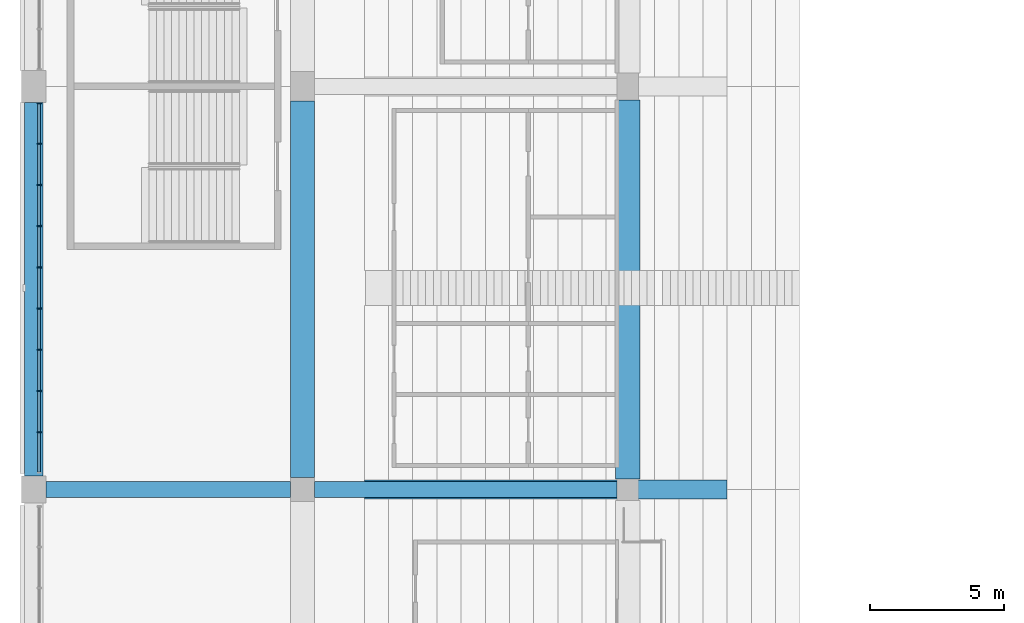
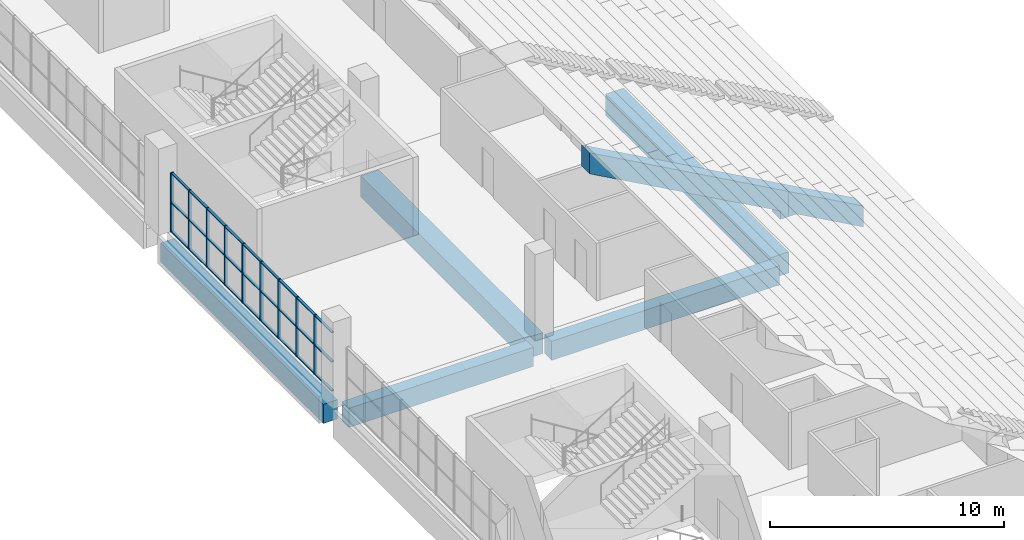
# One storey, part 20 of 249: 36 members, 7 beams, 1 element without a shape of its own.
"""IFC4 building model written with IfcOpenShell, lengths in metres."""

from ifc_helpers import new_model, si_unit, direction, frame, origin, origin_2d, place, context, subcontext, project, spatial, polyline, rectangle, outline, extrude, material, material_profile, profile_set, type_object, element, aggregate, save


model = new_model("IFC4")

# Units and contexts
model_context = context("Model", 3, precision=1e-05, world=origin(), true_north=direction((0.0, 1.0)))
body_context = subcontext(model_context, "Body", "Model", "MODEL_VIEW")
ifc_project = project(units=[si_unit("LENGTHUNIT", "METRE"), si_unit("AREAUNIT", "SQUARE_METRE"), si_unit("VOLUMEUNIT", "CUBIC_METRE"), si_unit("PLANEANGLEUNIT", "RADIAN"), si_unit("MASSUNIT", "GRAM", prefix="KILO")], contexts=[model_context])

# Site, building, storey
site_placement = place(None, origin())
site = spatial("IfcSite", under=ifc_project, at=site_placement, CompositionType="ELEMENT")
building_placement = place(site_placement, origin())
building = spatial("IfcBuilding", under=site, at=building_placement, Name="Ogive Plaza Stadium", CompositionType="ELEMENT")
storey_placement = place(building_placement, frame((0.0, 0.0, 13.5)))
storey = spatial("IfcBuildingStorey", under=building, at=storey_placement, Name="L03", CompositionType="ELEMENT", Elevation=13.5)

# Curtain wall, members
ifc_material_1 = material(Name="Bronze-anodised aluminium with laminated glass", Category="aluminium")
curtain_wall_type = type_object("IfcCurtainWallType", Name="Lancet curtain wall", PredefinedType="NOTDEFINED", material=ifc_material_1)
curtain_wall_placement = place(storey_placement, origin())
curtain_wall = element("IfcCurtainWall", 1, at=curtain_wall_placement, inside=storey, type_object=curtain_wall_type, Name="CURTAIN WALL B23 L03", PredefinedType="NOTDEFINED")
ifc_material_2 = material(Name="Bronze-anodised aluminium", Category="aluminium")
ifc_material_profile_1 = material_profile(ifc_material_2, rectangle(XDim=0.14990234375, YDim=0.050048828125, at=origin_2d()), Name="AL 150x50")
ifc_profile_set_1 = profile_set([ifc_material_profile_1], Name="Bronze-anodised aluminium")
member_type_1 = type_object("IfcMemberType", Name="Curtain wall mullion 50x150", PredefinedType="MULLION", material=ifc_profile_set_1)
member_1_placement = place(storey_placement, frame((-83.800048828125, -20.36669921875, 0.0), z_axis=(0.0, 0.0, 1.0), x_axis=(-1.0, 0.0, 0.0)))
member_1 = element("IfcMember", 2, at=member_1_placement, type_object=member_type_1, Name="CW-B23-L03 mullion 2", PredefinedType="MULLION", context=body_context, shape_type="SweptSolid", body=[
    extrude(rectangle(XDim=0.14990234375, YDim=0.050048828125, at=origin_2d()), origin(), (0.0, 0.0, 1.0), 3.090087890625),
])
member_2_placement = place(storey_placement, frame((-83.800048828125, -18.833251953125, 0.0), z_axis=(0.0, 0.0, 1.0), x_axis=(-1.0, 0.0, 0.0)))
member_2 = element("IfcMember", 3, at=member_2_placement, type_object=member_type_1, Name="CW-B23-L03 mullion 3", PredefinedType="MULLION", context=body_context, shape_type="SweptSolid", body=[
    extrude(rectangle(XDim=0.14990234375, YDim=0.050048828125, at=origin_2d()), origin(), (0.0, 0.0, 1.0), 3.090087890625),
])
member_3_placement = place(storey_placement, frame((-83.800048828125, -17.300048828125, 0.0), z_axis=(0.0, 0.0, 1.0), x_axis=(-1.0, 0.0, 0.0)))
member_3 = element("IfcMember", 4, at=member_3_placement, type_object=member_type_1, Name="CW-B23-L03 mullion 4", PredefinedType="MULLION", context=body_context, shape_type="SweptSolid", body=[
    extrude(rectangle(XDim=0.14990234375, YDim=0.050048828125, at=origin_2d()), origin(), (0.0, 0.0, 1.0), 3.090087890625),
])
member_4_placement = place(storey_placement, frame((-83.800048828125, -15.7666015625, 0.0), z_axis=(0.0, 0.0, 1.0), x_axis=(-1.0, 0.0, 0.0)))
member_4 = element("IfcMember", 5, at=member_4_placement, type_object=member_type_1, Name="CW-B23-L03 mullion 5", PredefinedType="MULLION", context=body_context, shape_type="SweptSolid", body=[
    extrude(rectangle(XDim=0.14990234375, YDim=0.050048828125, at=origin_2d()), origin(), (0.0, 0.0, 1.0), 3.090087890625),
])
member_5_placement = place(storey_placement, frame((-83.800048828125, -14.2333984375, 0.0), z_axis=(0.0, 0.0, 1.0), x_axis=(-1.0, 0.0, 0.0)))
member_5 = element("IfcMember", 6, at=member_5_placement, type_object=member_type_1, Name="CW-B23-L03 mullion 6", PredefinedType="MULLION", context=body_context, shape_type="SweptSolid", body=[
    extrude(rectangle(XDim=0.14990234375, YDim=0.050048828125, at=origin_2d()), origin(), (0.0, 0.0, 1.0), 3.090087890625),
])
member_6_placement = place(storey_placement, frame((-83.800048828125, -12.699951171875, 0.0), z_axis=(0.0, 0.0, 1.0), x_axis=(-1.0, 0.0, 0.0)))
member_6 = element("IfcMember", 7, at=member_6_placement, type_object=member_type_1, Name="CW-B23-L03 mullion 7", PredefinedType="MULLION", context=body_context, shape_type="SweptSolid", body=[
    extrude(rectangle(XDim=0.14990234375, YDim=0.050048828125, at=origin_2d()), origin(), (0.0, 0.0, 1.0), 3.090087890625),
])
member_7_placement = place(storey_placement, frame((-83.800048828125, -11.166748046875, 0.0), z_axis=(0.0, 0.0, 1.0), x_axis=(-1.0, 0.0, 0.0)))
member_7 = element("IfcMember", 8, at=member_7_placement, type_object=member_type_1, Name="CW-B23-L03 mullion 8", PredefinedType="MULLION", context=body_context, shape_type="SweptSolid", body=[
    extrude(rectangle(XDim=0.14990234375, YDim=0.050048828125, at=origin_2d()), origin(), (0.0, 0.0, 1.0), 3.090087890625),
])
member_8_placement = place(storey_placement, frame((-83.800048828125, -9.63330078125, 0.0), z_axis=(0.0, 0.0, 1.0), x_axis=(-1.0, 0.0, 0.0)))
member_8 = element("IfcMember", 9, at=member_8_placement, type_object=member_type_1, Name="CW-B23-L03 mullion 9", PredefinedType="MULLION", context=body_context, shape_type="SweptSolid", body=[
    extrude(rectangle(XDim=0.14990234375, YDim=0.050048828125, at=origin_2d()), origin(), (0.0, 0.0, 1.0), 3.090087890625),
])
member_9_placement = place(storey_placement, frame((-83.800048828125, -8.125, 0.0), z_axis=(0.0, 0.0, 1.0), x_axis=(-1.0, 0.0, 0.0)))
member_9 = element("IfcMember", 10, at=member_9_placement, type_object=member_type_1, Name="CW-B23-L03 mullion 10", PredefinedType="MULLION", context=body_context, shape_type="SweptSolid", body=[
    extrude(rectangle(XDim=0.14990234375, YDim=0.050048828125, at=origin_2d()), origin(), (0.0, 0.0, 1.0), 3.090087890625),
])
ifc_material_3 = material(Name="Bronze-anodised aluminium", Category="aluminium")
ifc_material_profile_2 = material_profile(ifc_material_3, rectangle(XDim=0.1201171875, YDim=0.050048828125, at=origin_2d()), Name="AL 120x50")
ifc_profile_set_2 = profile_set([ifc_material_profile_2], Name="Bronze-anodised aluminium")
member_type_2 = type_object("IfcMemberType", Name="Curtain wall transom 50x120", PredefinedType="USERDEFINED", material=ifc_profile_set_2)
member_10_placement = place(storey_placement, frame((-83.800048828125, -21.85009765625, 0.02490234375), z_axis=(0.0, 1.0, 0.0), x_axis=(-1.0, 0.0, 0.0)))
member_10 = element("IfcMember", 11, at=member_10_placement, type_object=member_type_2, Name="CW-B23-L03 transom 1.1", ObjectType="TRANSOM", PredefinedType="USERDEFINED", context=body_context, shape_type="SweptSolid", body=[
    extrude(rectangle(XDim=0.1201171875, YDim=0.050048828125, at=origin_2d()), origin(), (0.0, 0.0, 1.0), 1.45849609375),
])
member_11_placement = place(storey_placement, frame((-83.800048828125, -21.85009765625, 1.544921875), z_axis=(0.0, 1.0, 0.0), x_axis=(-1.0, 0.0, 0.0)))
member_11 = element("IfcMember", 12, at=member_11_placement, type_object=member_type_2, Name="CW-B23-L03 transom 1.2", ObjectType="TRANSOM", PredefinedType="USERDEFINED", context=body_context, shape_type="SweptSolid", body=[
    extrude(rectangle(XDim=0.1201171875, YDim=0.050048828125, at=origin_2d()), origin(), (0.0, 0.0, 1.0), 1.45849609375),
])
member_12_placement = place(storey_placement, frame((-83.800048828125, -21.85009765625, 3.06494140625), z_axis=(0.0, 1.0, 0.0), x_axis=(-1.0, 0.0, 0.0)))
member_12 = element("IfcMember", 13, at=member_12_placement, type_object=member_type_2, Name="CW-B23-L03 transom 1.3", ObjectType="TRANSOM", PredefinedType="USERDEFINED", context=body_context, shape_type="SweptSolid", body=[
    extrude(rectangle(XDim=0.1201171875, YDim=0.050048828125, at=origin_2d()), origin(), (0.0, 0.0, 1.0), 1.45849609375),
])
member_13_placement = place(storey_placement, frame((-83.800048828125, -20.341552734375, 0.02490234375), z_axis=(0.0, 1.0, 0.0), x_axis=(-1.0, 0.0, 0.0)))
member_13 = element("IfcMember", 14, at=member_13_placement, type_object=member_type_2, Name="CW-B23-L03 transom 2.1", ObjectType="TRANSOM", PredefinedType="USERDEFINED", context=body_context, shape_type="SweptSolid", body=[
    extrude(rectangle(XDim=0.1201171875, YDim=0.050048828125, at=origin_2d()), origin(), (0.0, 0.0, 1.0), 1.483154296875),
])
member_14_placement = place(storey_placement, frame((-83.800048828125, -20.341552734375, 1.544921875), z_axis=(0.0, 1.0, 0.0), x_axis=(-1.0, 0.0, 0.0)))
member_14 = element("IfcMember", 15, at=member_14_placement, type_object=member_type_2, Name="CW-B23-L03 transom 2.2", ObjectType="TRANSOM", PredefinedType="USERDEFINED", context=body_context, shape_type="SweptSolid", body=[
    extrude(rectangle(XDim=0.1201171875, YDim=0.050048828125, at=origin_2d()), origin(), (0.0, 0.0, 1.0), 1.483154296875),
])
member_15_placement = place(storey_placement, frame((-83.800048828125, -20.341552734375, 3.06494140625), z_axis=(0.0, 1.0, 0.0), x_axis=(-1.0, 0.0, 0.0)))
member_15 = element("IfcMember", 16, at=member_15_placement, type_object=member_type_2, Name="CW-B23-L03 transom 2.3", ObjectType="TRANSOM", PredefinedType="USERDEFINED", context=body_context, shape_type="SweptSolid", body=[
    extrude(rectangle(XDim=0.1201171875, YDim=0.050048828125, at=origin_2d()), origin(), (0.0, 0.0, 1.0), 1.483154296875),
])
member_16_placement = place(storey_placement, frame((-83.800048828125, -18.808349609375, 0.02490234375), z_axis=(0.0, 1.0, 0.0), x_axis=(-1.0, 0.0, 0.0)))
member_16 = element("IfcMember", 17, at=member_16_placement, type_object=member_type_2, Name="CW-B23-L03 transom 3.1", ObjectType="TRANSOM", PredefinedType="USERDEFINED", context=body_context, shape_type="SweptSolid", body=[
    extrude(rectangle(XDim=0.1201171875, YDim=0.050048828125, at=origin_2d()), origin(), (0.0, 0.0, 1.0), 1.4833984375),
])
member_17_placement = place(storey_placement, frame((-83.800048828125, -18.808349609375, 1.544921875), z_axis=(0.0, 1.0, 0.0), x_axis=(-1.0, 0.0, 0.0)))
member_17 = element("IfcMember", 18, at=member_17_placement, type_object=member_type_2, Name="CW-B23-L03 transom 3.2", ObjectType="TRANSOM", PredefinedType="USERDEFINED", context=body_context, shape_type="SweptSolid", body=[
    extrude(rectangle(XDim=0.1201171875, YDim=0.050048828125, at=origin_2d()), origin(), (0.0, 0.0, 1.0), 1.4833984375),
])
member_18_placement = place(storey_placement, frame((-83.800048828125, -18.808349609375, 3.06494140625), z_axis=(0.0, 1.0, 0.0), x_axis=(-1.0, 0.0, 0.0)))
member_18 = element("IfcMember", 19, at=member_18_placement, type_object=member_type_2, Name="CW-B23-L03 transom 3.3", ObjectType="TRANSOM", PredefinedType="USERDEFINED", context=body_context, shape_type="SweptSolid", body=[
    extrude(rectangle(XDim=0.1201171875, YDim=0.050048828125, at=origin_2d()), origin(), (0.0, 0.0, 1.0), 1.4833984375),
])
member_19_placement = place(storey_placement, frame((-83.800048828125, -17.27490234375, 0.02490234375), z_axis=(0.0, 1.0, 0.0), x_axis=(-1.0, 0.0, 0.0)))
member_19 = element("IfcMember", 20, at=member_19_placement, type_object=member_type_2, Name="CW-B23-L03 transom 4.1", ObjectType="TRANSOM", PredefinedType="USERDEFINED", context=body_context, shape_type="SweptSolid", body=[
    extrude(rectangle(XDim=0.1201171875, YDim=0.050048828125, at=origin_2d()), origin(), (0.0, 0.0, 1.0), 1.483154296875),
])
member_20_placement = place(storey_placement, frame((-83.800048828125, -17.27490234375, 1.544921875), z_axis=(0.0, 1.0, 0.0), x_axis=(-1.0, 0.0, 0.0)))
member_20 = element("IfcMember", 21, at=member_20_placement, type_object=member_type_2, Name="CW-B23-L03 transom 4.2", ObjectType="TRANSOM", PredefinedType="USERDEFINED", context=body_context, shape_type="SweptSolid", body=[
    extrude(rectangle(XDim=0.1201171875, YDim=0.050048828125, at=origin_2d()), origin(), (0.0, 0.0, 1.0), 1.483154296875),
])
member_21_placement = place(storey_placement, frame((-83.800048828125, -17.27490234375, 3.06494140625), z_axis=(0.0, 1.0, 0.0), x_axis=(-1.0, 0.0, 0.0)))
member_21 = element("IfcMember", 22, at=member_21_placement, type_object=member_type_2, Name="CW-B23-L03 transom 4.3", ObjectType="TRANSOM", PredefinedType="USERDEFINED", context=body_context, shape_type="SweptSolid", body=[
    extrude(rectangle(XDim=0.1201171875, YDim=0.050048828125, at=origin_2d()), origin(), (0.0, 0.0, 1.0), 1.483154296875),
])
member_22_placement = place(storey_placement, frame((-83.800048828125, -15.74169921875, 0.02490234375), z_axis=(0.0, 1.0, 0.0), x_axis=(-1.0, 0.0, 0.0)))
member_22 = element("IfcMember", 23, at=member_22_placement, type_object=member_type_2, Name="CW-B23-L03 transom 5.1", ObjectType="TRANSOM", PredefinedType="USERDEFINED", context=body_context, shape_type="SweptSolid", body=[
    extrude(rectangle(XDim=0.1201171875, YDim=0.050048828125, at=origin_2d()), origin(), (0.0, 0.0, 1.0), 1.4833984375),
])
member_23_placement = place(storey_placement, frame((-83.800048828125, -15.74169921875, 1.544921875), z_axis=(0.0, 1.0, 0.0), x_axis=(-1.0, 0.0, 0.0)))
member_23 = element("IfcMember", 24, at=member_23_placement, type_object=member_type_2, Name="CW-B23-L03 transom 5.2", ObjectType="TRANSOM", PredefinedType="USERDEFINED", context=body_context, shape_type="SweptSolid", body=[
    extrude(rectangle(XDim=0.1201171875, YDim=0.050048828125, at=origin_2d()), origin(), (0.0, 0.0, 1.0), 1.4833984375),
])
member_24_placement = place(storey_placement, frame((-83.800048828125, -15.74169921875, 3.06494140625), z_axis=(0.0, 1.0, 0.0), x_axis=(-1.0, 0.0, 0.0)))
member_24 = element("IfcMember", 25, at=member_24_placement, type_object=member_type_2, Name="CW-B23-L03 transom 5.3", ObjectType="TRANSOM", PredefinedType="USERDEFINED", context=body_context, shape_type="SweptSolid", body=[
    extrude(rectangle(XDim=0.1201171875, YDim=0.050048828125, at=origin_2d()), origin(), (0.0, 0.0, 1.0), 1.4833984375),
])
member_25_placement = place(storey_placement, frame((-83.800048828125, -14.208251953125, 0.02490234375), z_axis=(0.0, 1.0, 0.0), x_axis=(-1.0, 0.0, 0.0)))
member_25 = element("IfcMember", 26, at=member_25_placement, type_object=member_type_2, Name="CW-B23-L03 transom 6.1", ObjectType="TRANSOM", PredefinedType="USERDEFINED", context=body_context, shape_type="SweptSolid", body=[
    extrude(rectangle(XDim=0.1201171875, YDim=0.050048828125, at=origin_2d()), origin(), (0.0, 0.0, 1.0), 1.483154296875),
])
member_26_placement = place(storey_placement, frame((-83.800048828125, -14.208251953125, 1.544921875), z_axis=(0.0, 1.0, 0.0), x_axis=(-1.0, 0.0, 0.0)))
member_26 = element("IfcMember", 27, at=member_26_placement, type_object=member_type_2, Name="CW-B23-L03 transom 6.2", ObjectType="TRANSOM", PredefinedType="USERDEFINED", context=body_context, shape_type="SweptSolid", body=[
    extrude(rectangle(XDim=0.1201171875, YDim=0.050048828125, at=origin_2d()), origin(), (0.0, 0.0, 1.0), 1.483154296875),
])
member_27_placement = place(storey_placement, frame((-83.800048828125, -14.208251953125, 3.06494140625), z_axis=(0.0, 1.0, 0.0), x_axis=(-1.0, 0.0, 0.0)))
member_27 = element("IfcMember", 28, at=member_27_placement, type_object=member_type_2, Name="CW-B23-L03 transom 6.3", ObjectType="TRANSOM", PredefinedType="USERDEFINED", context=body_context, shape_type="SweptSolid", body=[
    extrude(rectangle(XDim=0.1201171875, YDim=0.050048828125, at=origin_2d()), origin(), (0.0, 0.0, 1.0), 1.483154296875),
])
member_28_placement = place(storey_placement, frame((-83.800048828125, -12.675048828125, 0.02490234375), z_axis=(0.0, 1.0, 0.0), x_axis=(-1.0, 0.0, 0.0)))
member_28 = element("IfcMember", 29, at=member_28_placement, type_object=member_type_2, Name="CW-B23-L03 transom 7.1", ObjectType="TRANSOM", PredefinedType="USERDEFINED", context=body_context, shape_type="SweptSolid", body=[
    extrude(rectangle(XDim=0.1201171875, YDim=0.050048828125, at=origin_2d()), origin(), (0.0, 0.0, 1.0), 1.4833984375),
])
member_29_placement = place(storey_placement, frame((-83.800048828125, -12.675048828125, 1.544921875), z_axis=(0.0, 1.0, 0.0), x_axis=(-1.0, 0.0, 0.0)))
member_29 = element("IfcMember", 30, at=member_29_placement, type_object=member_type_2, Name="CW-B23-L03 transom 7.2", ObjectType="TRANSOM", PredefinedType="USERDEFINED", context=body_context, shape_type="SweptSolid", body=[
    extrude(rectangle(XDim=0.1201171875, YDim=0.050048828125, at=origin_2d()), origin(), (0.0, 0.0, 1.0), 1.4833984375),
])
member_30_placement = place(storey_placement, frame((-83.800048828125, -12.675048828125, 3.06494140625), z_axis=(0.0, 1.0, 0.0), x_axis=(-1.0, 0.0, 0.0)))
member_30 = element("IfcMember", 31, at=member_30_placement, type_object=member_type_2, Name="CW-B23-L03 transom 7.3", ObjectType="TRANSOM", PredefinedType="USERDEFINED", context=body_context, shape_type="SweptSolid", body=[
    extrude(rectangle(XDim=0.1201171875, YDim=0.050048828125, at=origin_2d()), origin(), (0.0, 0.0, 1.0), 1.4833984375),
])
member_31_placement = place(storey_placement, frame((-83.800048828125, -11.1416015625, 0.02490234375), z_axis=(0.0, 1.0, 0.0), x_axis=(-1.0, 0.0, 0.0)))
member_31 = element("IfcMember", 32, at=member_31_placement, type_object=member_type_2, Name="CW-B23-L03 transom 8.1", ObjectType="TRANSOM", PredefinedType="USERDEFINED", context=body_context, shape_type="SweptSolid", body=[
    extrude(rectangle(XDim=0.1201171875, YDim=0.050048828125, at=origin_2d()), origin(), (0.0, 0.0, 1.0), 1.483154296875),
])
member_32_placement = place(storey_placement, frame((-83.800048828125, -11.1416015625, 1.544921875), z_axis=(0.0, 1.0, 0.0), x_axis=(-1.0, 0.0, 0.0)))
member_32 = element("IfcMember", 33, at=member_32_placement, type_object=member_type_2, Name="CW-B23-L03 transom 8.2", ObjectType="TRANSOM", PredefinedType="USERDEFINED", context=body_context, shape_type="SweptSolid", body=[
    extrude(rectangle(XDim=0.1201171875, YDim=0.050048828125, at=origin_2d()), origin(), (0.0, 0.0, 1.0), 1.483154296875),
])
member_33_placement = place(storey_placement, frame((-83.800048828125, -11.1416015625, 3.06494140625), z_axis=(0.0, 1.0, 0.0), x_axis=(-1.0, 0.0, 0.0)))
member_33 = element("IfcMember", 34, at=member_33_placement, type_object=member_type_2, Name="CW-B23-L03 transom 8.3", ObjectType="TRANSOM", PredefinedType="USERDEFINED", context=body_context, shape_type="SweptSolid", body=[
    extrude(rectangle(XDim=0.1201171875, YDim=0.050048828125, at=origin_2d()), origin(), (0.0, 0.0, 1.0), 1.483154296875),
])
member_34_placement = place(storey_placement, frame((-83.800048828125, -9.6083984375, 0.02490234375), z_axis=(0.0, 1.0, 0.0), x_axis=(-1.0, 0.0, 0.0)))
member_34 = element("IfcMember", 35, at=member_34_placement, type_object=member_type_2, Name="CW-B23-L03 transom 9.1", ObjectType="TRANSOM", PredefinedType="USERDEFINED", context=body_context, shape_type="SweptSolid", body=[
    extrude(rectangle(XDim=0.1201171875, YDim=0.050048828125, at=origin_2d()), origin(), (0.0, 0.0, 1.0), 1.45849609375),
])
member_35_placement = place(storey_placement, frame((-83.800048828125, -9.6083984375, 1.544921875), z_axis=(0.0, 1.0, 0.0), x_axis=(-1.0, 0.0, 0.0)))
member_35 = element("IfcMember", 36, at=member_35_placement, type_object=member_type_2, Name="CW-B23-L03 transom 9.2", ObjectType="TRANSOM", PredefinedType="USERDEFINED", context=body_context, shape_type="SweptSolid", body=[
    extrude(rectangle(XDim=0.1201171875, YDim=0.050048828125, at=origin_2d()), origin(), (0.0, 0.0, 1.0), 1.45849609375),
])
member_36_placement = place(storey_placement, frame((-83.800048828125, -9.6083984375, 3.06494140625), z_axis=(0.0, 1.0, 0.0), x_axis=(-1.0, 0.0, 0.0)))
member_36 = element("IfcMember", 37, at=member_36_placement, type_object=member_type_2, Name="CW-B23-L03 transom 9.3", ObjectType="TRANSOM", PredefinedType="USERDEFINED", context=body_context, shape_type="SweptSolid", body=[
    extrude(rectangle(XDim=0.1201171875, YDim=0.050048828125, at=origin_2d()), origin(), (0.0, 0.0, 1.0), 1.45849609375),
])
aggregate(curtain_wall, [member_1, member_2, member_3, member_4, member_5, member_6, member_7, member_8, member_9, member_10, member_11, member_12, member_13, member_14, member_15, member_16, member_17, member_18, member_19, member_20, member_21, member_22, member_23, member_24, member_25, member_26, member_27, member_28, member_29, member_30, member_31, member_32, member_33, member_34, member_35, member_36])

# Beams
ifc_material_4 = material(Name="Concrete C45/55 precast", Category="concrete")
ifc_material_profile_3 = material_profile(ifc_material_4, rectangle(XDim=0.699951171875, YDim=1.10009765625, at=origin_2d()), Name="RC 700x1100")
ifc_profile_set_3 = profile_set([ifc_material_profile_3], Name="Concrete C45/55 precast")
beam_type_1 = type_object("IfcBeamType", Name="Precast raker UT back-span 700x1100", PredefinedType="USERDEFINED", material=ifc_profile_set_3)
beam_1_placement = place(storey_placement, frame((-34.0, -22.5, -13.5), z_axis=(0.0, 0.0, 1.0), x_axis=(-1.0, 0.0, 0.0)))
element("IfcBeam", 38, at=beam_1_placement, inside=storey, type_object=beam_type_1, Name="RAKER UT BACK-SPAN R23", ObjectType="RAKER", PredefinedType="USERDEFINED", context=body_context, shape_type="SweptSolid", body=[
    extrude(outline(polyline([(27.89990234375, 15.533203125), (28.300048828125, 15.533203125), (28.300048828125, 15.977783203125), (37.699951171875, 21.199951171875), (37.699951171875, 22.300048828125), (27.89990234375, 16.855712890625), (27.89990234375, 15.533203125)])), frame((0.0, 0.35009765625, 0.0), z_axis=(0.0, -1.0, 0.0), x_axis=(1.0, 0.0, 0.0)), (0.0, 0.0, 1.0), 0.699951171875),
])
ifc_material_5 = material(Name="Concrete C45/55 precast", Category="concrete")
ifc_material_profile_4 = material_profile(ifc_material_5, rectangle(XDim=0.699951171875, YDim=1.10009765625, at=origin_2d()), Name="RC 700x1100")
ifc_profile_set_4 = profile_set([ifc_material_profile_4], Name="Concrete C45/55 precast")
beam_type_2 = type_object("IfcBeamType", Name="Precast raker UT cantilever 700x1100", PredefinedType="USERDEFINED", material=ifc_profile_set_4)
beam_2_placement = place(storey_placement, frame((-34.0, -22.5, -13.5), z_axis=(0.0, 0.0, 1.0), x_axis=(-1.0, 0.0, 0.0)))
element("IfcBeam", 39, at=beam_2_placement, inside=storey, type_object=beam_type_2, Name="RAKER UT CANTILEVER R23", ObjectType="RAKER", PredefinedType="USERDEFINED", context=body_context, shape_type="SweptSolid", body=[
    extrude(outline(polyline([(24.199951171875, 13.699951171875), (27.5, 15.533203125), (27.89990234375, 15.533203125), (27.89990234375, 16.855712890625), (24.199951171875, 14.800048828125), (24.199951171875, 13.699951171875)])), frame((0.0, 0.35009765625, 0.0), z_axis=(0.0, -1.0, 0.0), x_axis=(1.0, 0.0, 0.0)), (0.0, 0.0, 1.0), 0.699951171875),
])
ifc_material_6 = material(Name="Concrete C40/50", Category="concrete")
ifc_material_profile_5 = material_profile(ifc_material_6, rectangle(XDim=0.60009765625, YDim=1.0, at=origin_2d()), Name="RC 600x1000")
ifc_profile_set_5 = profile_set([ifc_material_profile_5], Name="Concrete C40/50")
beam_type_3 = type_object("IfcBeamType", Name="RC radial beam 600x1000", PredefinedType="BEAM", material=ifc_profile_set_5)
beam_3_placement = place(storey_placement, frame((-62.300048828125, -22.5, -0.909912109375), z_axis=(-1.0, 0.0, 0.0), x_axis=(0.0, -1.0, 0.0)))
element("IfcBeam", 40, at=beam_3_placement, inside=storey, type_object=beam_type_3, Name="Radial beam L03 R23 F3F4", PredefinedType="BEAM", context=body_context, shape_type="SweptSolid", body=[
    extrude(rectangle(XDim=0.60009765625, YDim=1.0, at=origin_2d()), origin(), (0.0, 0.0, 1.0), 11.25),
])
beam_4_placement = place(storey_placement, frame((-74.449951171875, -22.5, -0.909912109375), z_axis=(-1.0, 0.0, 0.0), x_axis=(0.0, -1.0, 0.0)))
element("IfcBeam", 41, at=beam_4_placement, inside=storey, type_object=beam_type_3, Name="Radial beam L03 R23 F4F5", PredefinedType="BEAM", context=body_context, shape_type="SweptSolid", body=[
    extrude(rectangle(XDim=0.60009765625, YDim=1.0, at=origin_2d()), origin(), (0.0, 0.0, 1.0), 9.10009765625),
])
ifc_material_7 = material(Name="Concrete C40/50", Category="concrete")
ifc_material_profile_6 = material_profile(ifc_material_7, rectangle(XDim=0.89990234375, YDim=1.10009765625, at=origin_2d()), Name="RC 900x1100")
ifc_profile_set_6 = profile_set([ifc_material_profile_6], Name="Concrete C40/50")
beam_type_4 = type_object("IfcBeamType", Name="RC ring beam 900x1100", PredefinedType="BEAM", material=ifc_profile_set_6)
beam_5_placement = place(storey_placement, frame((-74.0, -22.050048828125, -0.9599609375), z_axis=(0.0, 1.0, 0.0), x_axis=(-1.0, 0.0, 0.0)))
element("IfcBeam", 42, at=beam_5_placement, inside=storey, type_object=beam_type_4, Name="Ring beam F4 L03 B23", PredefinedType="BEAM", context=body_context, shape_type="SweptSolid", body=[
    extrude(rectangle(XDim=0.89990234375, YDim=1.10009765625, at=origin_2d()), origin(), (0.0, 0.0, 1.0), 14.0),
])
beam_6_placement = place(storey_placement, frame((-61.89990234375, -22.10009765625, -0.9599609375), z_axis=(0.0, 1.0, 0.0), x_axis=(-1.0, 0.0, 0.0)))
element("IfcBeam", 43, at=beam_6_placement, inside=storey, type_object=beam_type_4, Name="Ring beam F3 L03 B23", PredefinedType="BEAM", context=body_context, shape_type="SweptSolid", body=[
    extrude(rectangle(XDim=0.89990234375, YDim=1.10009765625, at=origin_2d()), origin(), (0.0, 0.0, 1.0), 14.10009765625),
])
ifc_material_8 = material(Name="Concrete C40/50", Category="concrete")
ifc_material_profile_7 = material_profile(ifc_material_8, rectangle(XDim=0.699951171875, YDim=1.0, at=origin_2d()), Name="RC 700x1000")
ifc_profile_set_7 = profile_set([ifc_material_profile_7], Name="Concrete C40/50")
beam_type_5 = type_object("IfcBeamType", Name="RC spandrel beam 700x1000", PredefinedType="SPANDREL", material=ifc_profile_set_7)
beam_7_placement = place(storey_placement, frame((-84.0, -22.0, -0.909912109375), z_axis=(0.0, 1.0, 0.0), x_axis=(-1.0, 0.0, 0.0)))
element("IfcBeam", 44, at=beam_7_placement, inside=storey, type_object=beam_type_5, Name="Ring beam F5 L03 B23", PredefinedType="SPANDREL", context=body_context, shape_type="SweptSolid", body=[
    extrude(rectangle(XDim=0.699951171875, YDim=1.0, at=origin_2d()), origin(), (0.0, 0.0, 1.0), 13.89990234375),
])

save(model, "model.ifc")
